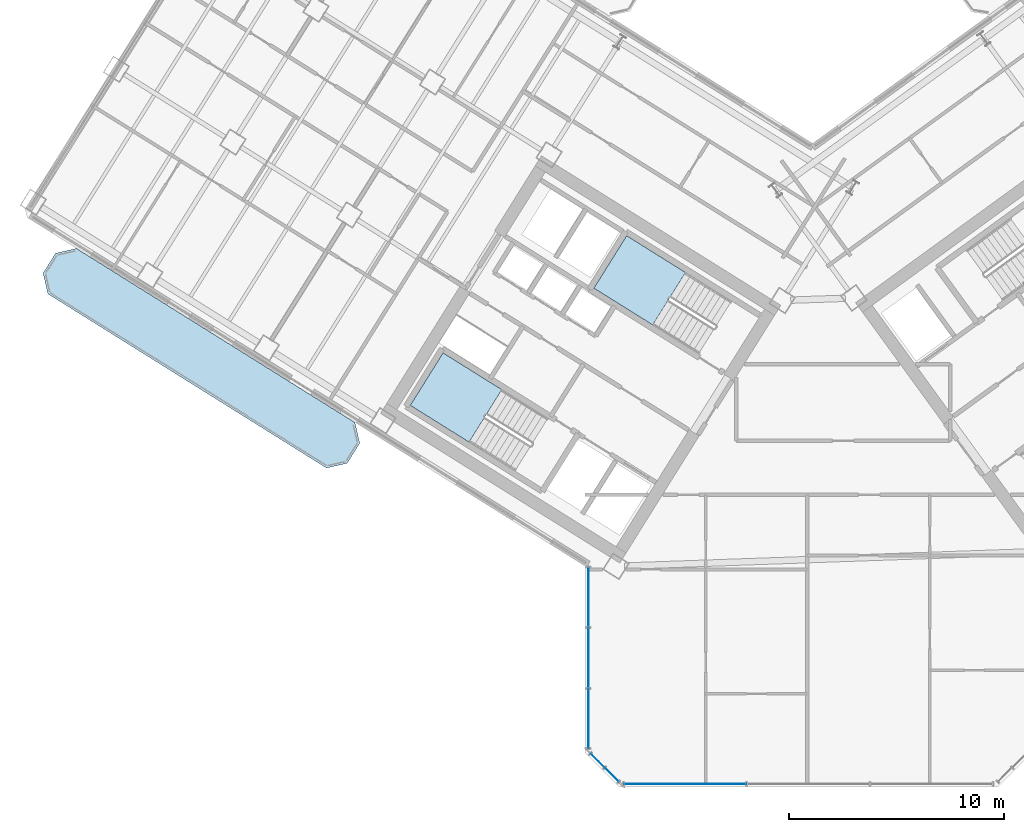
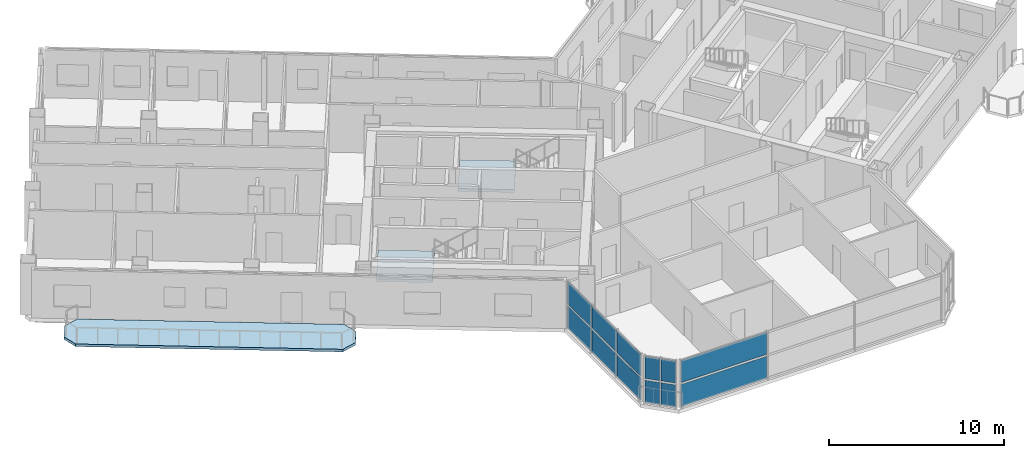
# One storey, part 8 of 21: 12 plates, 3 slabs, 5 elements without a shape of their own.
"""IFC4 building model written with IfcOpenShell, lengths in metres."""

from ifc_helpers import new_model, si_unit, direction, frame, origin, origin_2d, place, context, subcontext, project, spatial, polyline, rectangle, outline, extrude, source, transform, mapped, material, layer, layer_set, type_object, element, aggregate, save


model = new_model("IFC4")

# Units and contexts
model_context = context("Model", 3, precision=1e-05, world=origin(), true_north=direction((0.0, 1.0)))
body_context = subcontext(model_context, "Body", "Model", "MODEL_VIEW")
ifc_project = project(units=[si_unit("LENGTHUNIT", "METRE"), si_unit("AREAUNIT", "SQUARE_METRE"), si_unit("VOLUMEUNIT", "CUBIC_METRE"), si_unit("PLANEANGLEUNIT", "RADIAN"), si_unit("MASSUNIT", "GRAM", prefix="KILO")], contexts=[model_context])

# Site, building, storey
site_placement = place(None, origin())
site = spatial("IfcSite", under=ifc_project, at=site_placement, CompositionType="ELEMENT")
building_placement = place(site_placement, origin())
building = spatial("IfcBuilding", under=site, at=building_placement, Name="Tlacorven Tower", CompositionType="ELEMENT")
storey_placement = place(building_placement, frame((0.0, 0.0, 119.699951171875)))
storey = spatial("IfcBuildingStorey", under=building, at=storey_placement, Name="L30", CompositionType="ELEMENT", Elevation=119.699951171875)

# Slab
ifc_material_1 = material(Name="Precast concrete C45/55", Category="concrete")
ifc_layer_1 = layer(ifc_material_1, 0.179931640625)
ifc_layer_set_1 = layer_set([ifc_layer_1], Name="Precast concrete C45/55")
slab_type_1 = type_object("IfcSlabType", Name="SL-BAL-180", PredefinedType="USERDEFINED", material=ifc_layer_set_1)
slab_1_placement = place(storey_placement, frame((0.0, 0.0, -0.179931640625)))
element("IfcSlab", 1, at=slab_1_placement, inside=storey, type_object=slab_type_1, Name="L30 West Wing Balcony Ribbon OUT", ObjectType="BALCONY SLAB", PredefinedType="USERDEFINED", context=body_context, shape_type="SweptSolid", body=[
    extrude(outline(polyline([(20.88671875, 18.78271484375), (7.91162109375, 26.890625), (6.947021484375, 26.66796875), (6.366943359375, 25.7392578125), (6.589599609375, 24.774658203125), (19.564697265625, 16.6669921875), (20.529296875, 16.8896484375), (21.109375, 17.818115234375), (20.88671875, 18.78271484375)])), origin(), (0.0, 0.0, 1.0), 0.179931640625),
])

# Stair, slab
ifc_material_2 = material(Name="Concrete C40/50", Category="concrete")
stair_type = type_object("IfcStairType", Name="ST-CORE-DLG", PredefinedType="HALF_TURN_STAIR", material=ifc_material_2)
stair_1_placement = place(storey_placement, origin())
stair_1 = element("IfcStair", 2, at=stair_1_placement, inside=storey, type_object=stair_type, Name="L30 Protected Exit Stair West 1", PredefinedType="HALF_TURN_STAIR")
ifc_layer_2 = layer(ifc_material_2, 0.199951171875)
ifc_layer_set_2 = layer_set([ifc_layer_2], Name="Concrete C40/50")
slab_type_2 = type_object("IfcSlabType", Name="SL-LND-200", PredefinedType="LANDING", material=ifc_layer_set_2)
slab_2_placement = place(storey_placement, frame((0.0, 0.0, 1.60009765625)))
slab_2 = element("IfcSlab", 3, at=slab_2_placement, type_object=slab_type_2, Name="ST-W1 landing 1", PredefinedType="LANDING", context=body_context, shape_type="SweptSolid", body=[
    extrude(outline(polyline([(27.728515625, 20.315185546875), (24.9892578125, 22.02685546875), (23.463134765625, 19.58447265625), (26.2021484375, 17.872802734375), (27.728515625, 20.315185546875)])), origin(), (0.0, 0.0, 1.0), 0.199951171875),
])
aggregate(stair_1, [slab_2])

stair_2_placement = place(storey_placement, origin())
stair_2 = element("IfcStair", 4, at=stair_2_placement, inside=storey, type_object=stair_type, Name="L30 Protected Exit Stair West 2", PredefinedType="HALF_TURN_STAIR")
slab_3_placement = place(storey_placement, frame((0.0, 0.0, 1.60009765625)))
slab_3 = element("IfcSlab", 5, at=slab_3_placement, type_object=slab_type_2, Name="ST-W2 landing 1", PredefinedType="LANDING", context=body_context, shape_type="SweptSolid", body=[
    extrude(outline(polyline([(36.280029296875, 25.772705078125), (33.540771484375, 27.484375), (32.0146484375, 25.0419921875), (34.75390625, 23.33056640625), (36.280029296875, 25.772705078125)])), origin(), (0.0, 0.0, 1.0), 0.199951171875),
])
aggregate(stair_2, [slab_3])

# Curtain wall, plates
ifc_material_3 = material(Name="Dark solar low-E double glazing in aluminium frame", Category="aluminium")
curtain_wall_type = type_object("IfcCurtainWallType", Name="CW-TWR-MID", PredefinedType="USERDEFINED", material=ifc_material_3)
curtain_wall_1_placement = place(storey_placement, origin())
curtain_wall_1 = element("IfcCurtainWall", 6, at=curtain_wall_1_placement, inside=storey, type_object=curtain_wall_type, Name="L30 CW-TWR-MID Curtain Wall 149", ObjectType="UNITISED CURTAIN WALL", PredefinedType="USERDEFINED")
ifc_material_4 = material(Name="High-wind dark solar tempered low-E glazing", Category="glass")
ifc_layer_3 = layer(ifc_material_4, 0.028076171875)
ifc_layer_set_3 = layer_set([ifc_layer_3], Name="High-wind dark solar tempered low-E glazing")
plate_type = type_object("IfcPlateType", Name="CWP-03", PredefinedType="CURTAIN_PANEL", material=ifc_layer_set_3)
shared_shape_1 = source(origin(), body_context, "Body", "SweptSolid", [
    extrude(rectangle(XDim=0.885498046875, YDim=0.028076171875, at=origin_2d()), origin(), (0.0, 0.0, 1.0), 1.552978515625),
])
plate_1_placement = place(storey_placement, frame((32.8427734375, 2.38330078125, 0.06103515625), z_axis=(0.0, 0.0, 1.0), x_axis=(-0.707106781187, 0.707106781187, 0.0)))
plate_1 = element("IfcPlate", 7, at=plate_1_placement, type_object=plate_type, Name="CW-L30-149 Glazing Panel 1", PredefinedType="CURTAIN_PANEL", context=body_context, shape_type="MappedRepresentation", body=[
    mapped(shared_shape_1, transform((0.0, 0.0, 0.0), scale=1.0)),
])
plate_2_placement = place(storey_placement, frame((32.8427734375, 2.38330078125, 1.73583984375), z_axis=(0.0, 0.0, 1.0), x_axis=(-0.707106781187, 0.707106781187, 0.0)))
plate_2 = element("IfcPlate", 8, at=plate_2_placement, type_object=plate_type, Name="CW-L30-149 Glazing Panel 2", PredefinedType="CURTAIN_PANEL", context=body_context, shape_type="MappedRepresentation", body=[
    mapped(shared_shape_1, transform((0.0, 0.0, 0.0), scale=1.0)),
])
plate_3_placement = place(storey_placement, frame((32.183349609375, 3.04296875, 0.06103515625), z_axis=(0.0, 0.0, 1.0), x_axis=(-0.707106781187, 0.707106781187, 0.0)))
plate_3 = element("IfcPlate", 9, at=plate_3_placement, type_object=plate_type, Name="CW-L30-149 Glazing Panel 3", PredefinedType="CURTAIN_PANEL", context=body_context, shape_type="MappedRepresentation", body=[
    mapped(shared_shape_1, transform((0.0, 0.0, 0.0), scale=1.0)),
])
plate_4_placement = place(storey_placement, frame((32.183349609375, 3.04296875, 1.73583984375), z_axis=(0.0, 0.0, 1.0), x_axis=(-0.707106781187, 0.707106781187, 0.0)))
plate_4 = element("IfcPlate", 10, at=plate_4_placement, type_object=plate_type, Name="CW-L30-149 Glazing Panel 4", PredefinedType="CURTAIN_PANEL", context=body_context, shape_type="MappedRepresentation", body=[
    mapped(shared_shape_1, transform((0.0, 0.0, 0.0), scale=1.0)),
])
aggregate(curtain_wall_1, [plate_1, plate_2, plate_3, plate_4])

curtain_wall_2_placement = place(storey_placement, origin())
curtain_wall_2 = element("IfcCurtainWall", 11, at=curtain_wall_2_placement, inside=storey, type_object=curtain_wall_type, Name="L30 CW-TWR-MID Curtain Wall 148", ObjectType="UNITISED CURTAIN WALL", PredefinedType="USERDEFINED")
shared_shape_2 = source(origin(), body_context, "Body", "SweptSolid", [
    extrude(rectangle(XDim=5.67626953125, YDim=0.028076171875, at=origin_2d()), origin(), (0.0, 0.0, 1.0), 1.552978515625),
])
plate_5_placement = place(storey_placement, frame((36.260498046875, 1.9599609375, 0.06103515625), z_axis=(0.0, 0.0, 1.0), x_axis=(-1.0, 0.0, 0.0)))
plate_5 = element("IfcPlate", 12, at=plate_5_placement, type_object=plate_type, Name="CW-L30-148 Glazing Panel 5", PredefinedType="CURTAIN_PANEL", context=body_context, shape_type="MappedRepresentation", body=[
    mapped(shared_shape_2, transform((0.0, 0.0, 0.0), scale=1.0)),
])
plate_6_placement = place(storey_placement, frame((36.260498046875, 1.9599609375, 1.73583984375), z_axis=(0.0, 0.0, 1.0), x_axis=(-1.0, 0.0, 0.0)))
plate_6 = element("IfcPlate", 13, at=plate_6_placement, type_object=plate_type, Name="CW-L30-148 Glazing Panel 6", PredefinedType="CURTAIN_PANEL", context=body_context, shape_type="MappedRepresentation", body=[
    mapped(shared_shape_2, transform((0.0, 0.0, 0.0), scale=1.0)),
])
aggregate(curtain_wall_2, [plate_5, plate_6])

curtain_wall_3_placement = place(storey_placement, origin())
curtain_wall_3 = element("IfcCurtainWall", 14, at=curtain_wall_3_placement, inside=storey, type_object=curtain_wall_type, Name="L30 CW-TWR-MID Curtain Wall 150", ObjectType="UNITISED CURTAIN WALL", PredefinedType="USERDEFINED")
shared_shape_3 = source(origin(), body_context, "Body", "SweptSolid", [
    extrude(rectangle(XDim=2.759521484375, YDim=0.028076171875, at=origin_2d()), origin(), (0.0, 0.0, 1.0), 1.552978515625),
])
plate_7_placement = place(storey_placement, frame((31.760009765625, 5.001953125, 0.06103515625), z_axis=(0.0, 0.0, 1.0), x_axis=(0.0, 1.0, 0.0)))
plate_7 = element("IfcPlate", 15, at=plate_7_placement, type_object=plate_type, Name="CW-L30-150 Glazing Panel 1", PredefinedType="CURTAIN_PANEL", context=body_context, shape_type="MappedRepresentation", body=[
    mapped(shared_shape_3, transform((0.0, 0.0, 0.0), scale=1.0)),
])
plate_8_placement = place(storey_placement, frame((31.760009765625, 5.001953125, 1.73583984375), z_axis=(0.0, 0.0, 1.0), x_axis=(0.0, 1.0, 0.0)))
plate_8 = element("IfcPlate", 16, at=plate_8_placement, type_object=plate_type, Name="CW-L30-150 Glazing Panel 2", PredefinedType="CURTAIN_PANEL", context=body_context, shape_type="MappedRepresentation", body=[
    mapped(shared_shape_3, transform((0.0, 0.0, 0.0), scale=1.0)),
])
plate_9_placement = place(storey_placement, frame((31.760009765625, 10.6474609375, 0.06103515625), z_axis=(0.0, 0.0, 1.0), x_axis=(0.0, 1.0, 0.0)))
plate_9 = element("IfcPlate", 17, at=plate_9_placement, type_object=plate_type, Name="CW-L30-150 Glazing Panel 5", PredefinedType="CURTAIN_PANEL", context=body_context, shape_type="MappedRepresentation", body=[
    mapped(shared_shape_3, transform((0.0, 0.0, 0.0), scale=1.0)),
])
plate_10_placement = place(storey_placement, frame((31.760009765625, 10.6474609375, 1.73583984375), z_axis=(0.0, 0.0, 1.0), x_axis=(0.0, 1.0, 0.0)))
plate_10 = element("IfcPlate", 18, at=plate_10_placement, type_object=plate_type, Name="CW-L30-150 Glazing Panel 6", PredefinedType="CURTAIN_PANEL", context=body_context, shape_type="MappedRepresentation", body=[
    mapped(shared_shape_3, transform((0.0, 0.0, 0.0), scale=1.0)),
])
shared_shape_4 = source(origin(), body_context, "Body", "SweptSolid", [
    extrude(rectangle(XDim=2.7919921875, YDim=0.028076171875, at=origin_2d()), origin(), (0.0, 0.0, 1.0), 1.552978515625),
])
plate_11_placement = place(storey_placement, frame((31.760009765625, 7.82470703125, 0.06103515625), z_axis=(0.0, 0.0, 1.0), x_axis=(0.0, 1.0, 0.0)))
plate_11 = element("IfcPlate", 19, at=plate_11_placement, type_object=plate_type, Name="CW-L30-150 Glazing Panel 3", PredefinedType="CURTAIN_PANEL", context=body_context, shape_type="MappedRepresentation", body=[
    mapped(shared_shape_4, transform((0.0, 0.0, 0.0), scale=1.0)),
])
plate_12_placement = place(storey_placement, frame((31.760009765625, 7.82470703125, 1.73583984375), z_axis=(0.0, 0.0, 1.0), x_axis=(0.0, 1.0, 0.0)))
plate_12 = element("IfcPlate", 20, at=plate_12_placement, type_object=plate_type, Name="CW-L30-150 Glazing Panel 4", PredefinedType="CURTAIN_PANEL", context=body_context, shape_type="MappedRepresentation", body=[
    mapped(shared_shape_4, transform((0.0, 0.0, 0.0), scale=1.0)),
])
aggregate(curtain_wall_3, [plate_7, plate_8, plate_11, plate_12, plate_9, plate_10])

save(model, "model.ifc")
